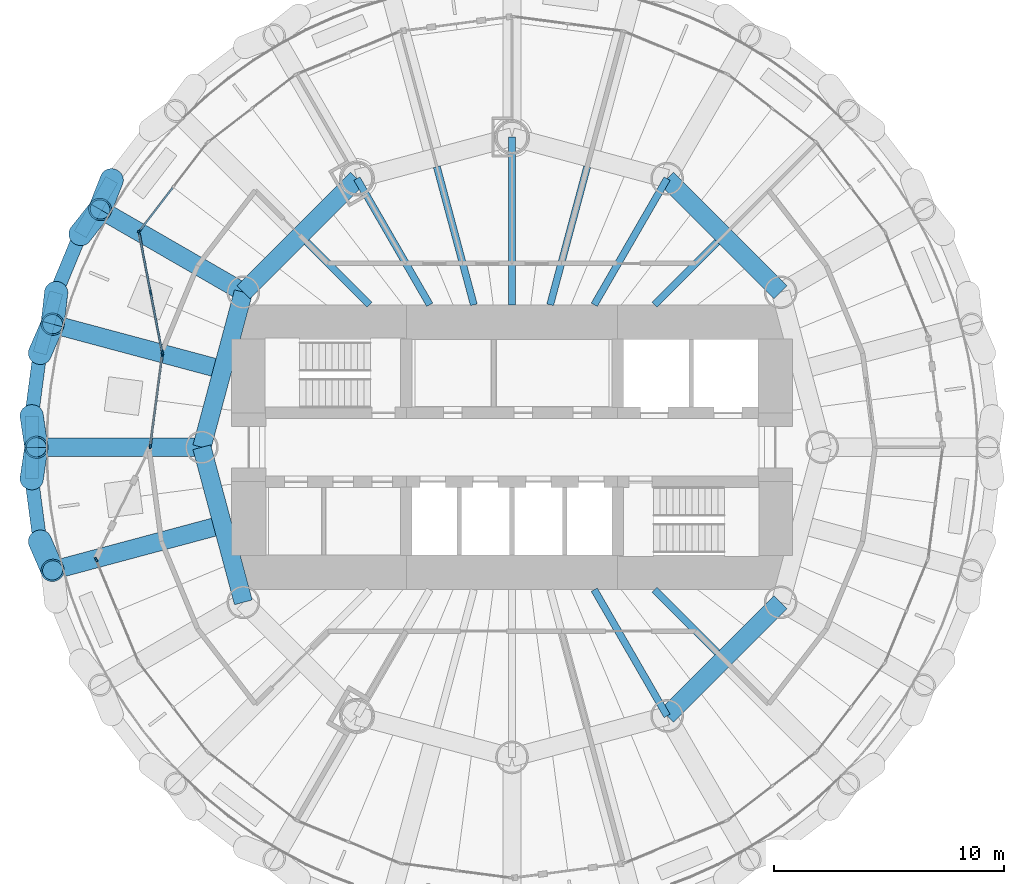
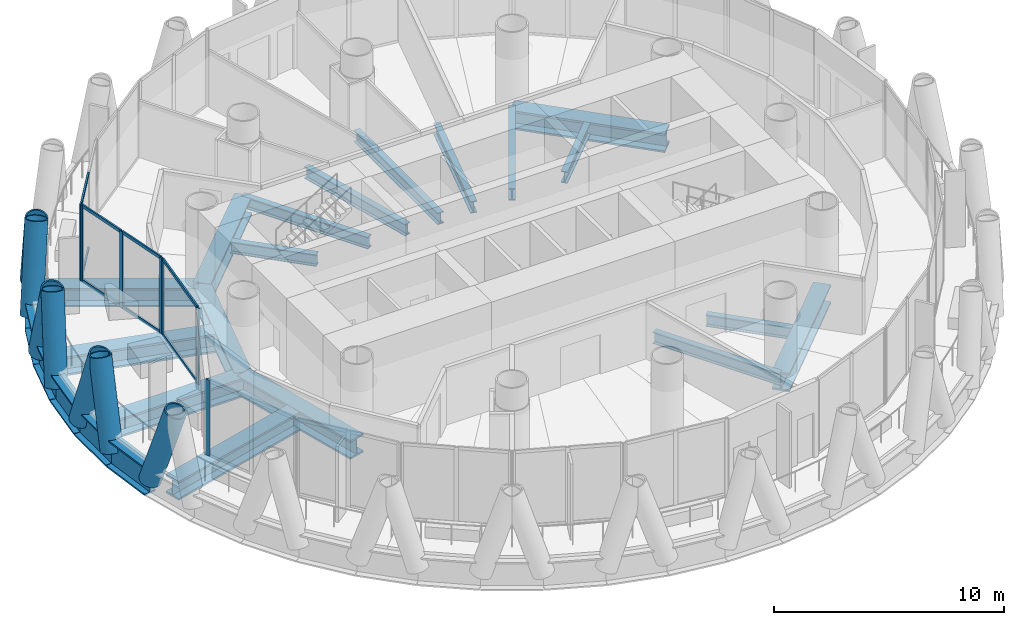
# One storey, part 3 of 15: 24 beams, 22 members, 4 elements without a shape of their own.
"""IFC4 building model written with IfcOpenShell, lengths in metres."""

from ifc_helpers import new_model, si_unit, direction, frame, origin, origin_2d, place, context, subcontext, project, spatial, rectangle, hollow_circle, i_section, extrude, material, material_profile, profile_set, type_object, element, aggregate, save


model = new_model("IFC4")

# Units and contexts
model_context = context("Model", 3, precision=1e-05, world=origin(), true_north=direction((0.0, 1.0)))
body_context = subcontext(model_context, "Body", "Model", "MODEL_VIEW")
ifc_project = project(units=[si_unit("LENGTHUNIT", "METRE"), si_unit("AREAUNIT", "SQUARE_METRE"), si_unit("VOLUMEUNIT", "CUBIC_METRE"), si_unit("PLANEANGLEUNIT", "RADIAN"), si_unit("MASSUNIT", "GRAM", prefix="KILO")], contexts=[model_context])

# Site, building, storey
site_placement = place(None, origin())
site = spatial("IfcSite", under=ifc_project, at=site_placement, CompositionType="ELEMENT")
building_placement = place(site_placement, origin())
building = spatial("IfcBuilding", under=site, at=building_placement, Name="Qaws Media Tower", CompositionType="ELEMENT")
storey_placement = place(building_placement, frame((0.0, 0.0, 273.800048828125)))
storey = spatial("IfcBuildingStorey", under=building, at=storey_placement, Name="L63", CompositionType="ELEMENT", Elevation=273.800048828125)

# Curtain wall, member
ifc_material_1 = material(Name="Aluminium and clear glass", Category="aluminium")
curtain_wall_type_1 = type_object("IfcCurtainWallType", Name="Unitised curtain wall CW-D", PredefinedType="NOTDEFINED", material=ifc_material_1)
curtain_wall_1_placement = place(storey_placement, origin())
curtain_wall_1 = element("IfcCurtainWall", 1, at=curtain_wall_1_placement, inside=storey, type_object=curtain_wall_type_1, Name="CWD curtain wall L63-10", PredefinedType="NOTDEFINED")
ifc_material_2 = material(Name="Aluminium mullion", Category="aluminium")
ifc_material_profile_1 = material_profile(ifc_material_2, rectangle(XDim=0.080078125, YDim=0.199951171875, at=origin_2d()), Name="80x200")
ifc_profile_set_1 = profile_set([ifc_material_profile_1], Name="Aluminium mullion")
member_type_1 = type_object("IfcMemberType", Name="Curtain wall mullion 80x200", PredefinedType="MULLION", material=ifc_profile_set_1)
member_1_placement = place(storey_placement, frame((43.786376953125, 59.40673828125, 0.0), z_axis=(0.0, 0.0, 1.0), x_axis=(0.793353346284, -0.608761421199, 0.0)))
member_1 = element("IfcMember", 2, at=member_1_placement, type_object=member_type_1, Name="CWD mullion 3", PredefinedType="MULLION", context=body_context, shape_type="SweptSolid", body=[
    extrude(rectangle(XDim=0.080078125, YDim=0.199951171875, at=origin_2d()), origin(), (0.0, 0.0, 1.0), 4.0400390625),
])

# Curtain wall, members
ifc_material_3 = material(Name="Aluminium and clear glass", Category="aluminium")
curtain_wall_type_2 = type_object("IfcCurtainWallType", Name="Loggia curtain wall CW-G", PredefinedType="NOTDEFINED", material=ifc_material_3)
curtain_wall_2_placement = place(storey_placement, origin())
curtain_wall_2 = element("IfcCurtainWall", 3, at=curtain_wall_2_placement, inside=storey, type_object=curtain_wall_type_2, Name="CWG curtain wall L63-11", PredefinedType="NOTDEFINED")
member_2_placement = place(storey_placement, frame((43.76953125, 59.335693359375, 0.0), z_axis=(0.0, 0.0, 1.0), x_axis=(0.981810655212, 0.189862680144, 0.0)))
member_2 = element("IfcMember", 4, at=member_2_placement, type_object=member_type_1, Name="CWG mullion 1", PredefinedType="MULLION", context=body_context, shape_type="SweptSolid", body=[
    extrude(rectangle(XDim=0.080078125, YDim=0.199951171875, at=origin_2d()), origin(), (0.0, 0.0, 1.0), 4.0400390625),
])
member_3_placement = place(storey_placement, frame((44.2744140625, 56.7255859375, 0.0), z_axis=(0.0, 0.0, 1.0), x_axis=(0.981810655212, 0.189862680144, 0.0)))
member_3 = element("IfcMember", 5, at=member_3_placement, type_object=member_type_1, Name="CWG mullion 2", PredefinedType="MULLION", context=body_context, shape_type="SweptSolid", body=[
    extrude(rectangle(XDim=0.080078125, YDim=0.199951171875, at=origin_2d()), origin(), (0.0, 0.0, 1.0), 4.0400390625),
])
member_4_placement = place(storey_placement, frame((44.779052734375, 54.11572265625, 0.0), z_axis=(0.0, 0.0, 1.0), x_axis=(0.981810655212, 0.189862680144, 0.0)))
member_4 = element("IfcMember", 6, at=member_4_placement, type_object=member_type_1, Name="CWG mullion 3", PredefinedType="MULLION", context=body_context, shape_type="SweptSolid", body=[
    extrude(rectangle(XDim=0.080078125, YDim=0.199951171875, at=origin_2d()), origin(), (0.0, 0.0, 1.0), 4.0400390625),
])

curtain_wall_3_placement = place(storey_placement, origin())
curtain_wall_3 = element("IfcCurtainWall", 7, at=curtain_wall_3_placement, inside=storey, type_object=curtain_wall_type_2, Name="CWG curtain wall L63-12", PredefinedType="NOTDEFINED")
member_5_placement = place(storey_placement, frame((44.781494140625, 54.03662109375, 0.0), z_axis=(0.0, 0.0, 1.0), x_axis=(0.991444868964, -0.130526134563, 0.0)))
member_5 = element("IfcMember", 8, at=member_5_placement, type_object=member_type_1, Name="CWG mullion 1", PredefinedType="MULLION", context=body_context, shape_type="SweptSolid", body=[
    extrude(rectangle(XDim=0.080078125, YDim=0.199951171875, at=origin_2d()), origin(), (0.0, 0.0, 1.0), 4.0400390625),
])
member_6_placement = place(storey_placement, frame((44.255126953125, 50.03955078125, 0.0), z_axis=(0.0, 0.0, 1.0), x_axis=(0.991444868964, -0.130526134563, 0.0)))
member_6 = element("IfcMember", 9, at=member_6_placement, type_object=member_type_1, Name="CWG mullion 2", PredefinedType="MULLION", context=body_context, shape_type="SweptSolid", body=[
    extrude(rectangle(XDim=0.080078125, YDim=0.199951171875, at=origin_2d()), origin(), (0.0, 0.0, 1.0), 4.0400390625),
])

# Curtain wall, member
curtain_wall_4_placement = place(storey_placement, origin())
curtain_wall_4 = element("IfcCurtainWall", 10, at=curtain_wall_4_placement, inside=storey, type_object=curtain_wall_type_1, Name="CWD curtain wall L63-14", PredefinedType="NOTDEFINED")
member_7_placement = place(storey_placement, frame((41.904296875, 45.110107421875, 0.0), z_axis=(0.0, 0.0, 1.0), x_axis=(0.923879529739, 0.382683439057, 0.0)))
member_7 = element("IfcMember", 11, at=member_7_placement, type_object=member_type_1, Name="CWD mullion 1", PredefinedType="MULLION", context=body_context, shape_type="SweptSolid", body=[
    extrude(rectangle(XDim=0.080078125, YDim=0.199951171875, at=origin_2d()), origin(), (0.0, 0.0, 1.0), 4.0400390625),
])
aggregate(curtain_wall_4, [member_7])

# Member
ifc_material_4 = material(Name="Aluminium transom", Category="aluminium")
ifc_material_profile_2 = material_profile(ifc_material_4, rectangle(XDim=0.080078125, YDim=0.159912109375, at=origin_2d()), Name="80x160")
ifc_profile_set_2 = profile_set([ifc_material_profile_2], Name="Aluminium transom")
member_type_2 = type_object("IfcMemberType", Name="Curtain wall transom 80x160", PredefinedType="USERDEFINED", material=ifc_profile_set_2)
member_8_placement = place(storey_placement, frame((45.2275390625, 61.284912109375, 0.0400390625), z_axis=(-0.60874201656, -0.79336823561, 0.0), x_axis=(0.79336823561, -0.60874201656, 0.0)))
member_8 = element("IfcMember", 12, at=member_8_placement, type_object=member_type_2, Name="CWD transom 2.1", ObjectType="TRANSOM", PredefinedType="USERDEFINED", context=body_context, shape_type="SweptSolid", body=[
    extrude(rectangle(XDim=0.080078125, YDim=0.159912109375, at=origin_2d()), origin(), (0.0, 0.0, 1.0), 2.327392578125),
])

member_9_placement = place(storey_placement, frame((45.2275390625, 61.284912109375, 4.0), z_axis=(-0.60874201656, -0.79336823561, 0.0), x_axis=(0.79336823561, -0.60874201656, 0.0)))
member_9 = element("IfcMember", 13, at=member_9_placement, type_object=member_type_2, Name="CWD transom 2.2", ObjectType="TRANSOM", PredefinedType="USERDEFINED", context=body_context, shape_type="SweptSolid", body=[
    extrude(rectangle(XDim=0.080078125, YDim=0.159912109375, at=origin_2d()), origin(), (0.0, 0.0, 1.0), 2.327392578125),
])

aggregate(curtain_wall_1, [member_1, member_8, member_9])

member_10_placement = place(storey_placement, frame((43.777099609375, 59.29638671875, 0.0400390625), z_axis=(0.189939471424, -0.981795802189, 0.0), x_axis=(0.981795802189, 0.189939471424, 0.0)))
member_10 = element("IfcMember", 14, at=member_10_placement, type_object=member_type_2, Name="CWG transom 1.1", ObjectType="TRANSOM", PredefinedType="USERDEFINED", context=body_context, shape_type="SweptSolid", body=[
    extrude(rectangle(XDim=0.080078125, YDim=0.159912109375, at=origin_2d()), origin(), (0.0, 0.0, 1.0), 2.578369140625),
])

member_11_placement = place(storey_placement, frame((43.777099609375, 59.29638671875, 4.0), z_axis=(0.189939471424, -0.981795802189, 0.0), x_axis=(0.981795802189, 0.189939471424, 0.0)))
member_11 = element("IfcMember", 15, at=member_11_placement, type_object=member_type_2, Name="CWG transom 1.2", ObjectType="TRANSOM", PredefinedType="USERDEFINED", context=body_context, shape_type="SweptSolid", body=[
    extrude(rectangle(XDim=0.080078125, YDim=0.159912109375, at=origin_2d()), origin(), (0.0, 0.0, 1.0), 2.578369140625),
])

member_12_placement = place(storey_placement, frame((44.281982421875, 56.6865234375, 0.0400390625), z_axis=(0.189848199259, -0.981813455417, 0.0), x_axis=(0.981813455417, 0.189848199259, 0.0)))
member_12 = element("IfcMember", 16, at=member_12_placement, type_object=member_type_2, Name="CWG transom 2.1", ObjectType="TRANSOM", PredefinedType="USERDEFINED", context=body_context, shape_type="SweptSolid", body=[
    extrude(rectangle(XDim=0.080078125, YDim=0.159912109375, at=origin_2d()), origin(), (0.0, 0.0, 1.0), 2.578369140625),
])

member_13_placement = place(storey_placement, frame((44.281982421875, 56.6865234375, 4.0), z_axis=(0.189848199259, -0.981813455417, 0.0), x_axis=(0.981813455417, 0.189848199259, 0.0)))
member_13 = element("IfcMember", 17, at=member_13_placement, type_object=member_type_2, Name="CWG transom 2.2", ObjectType="TRANSOM", PredefinedType="USERDEFINED", context=body_context, shape_type="SweptSolid", body=[
    extrude(rectangle(XDim=0.080078125, YDim=0.159912109375, at=origin_2d()), origin(), (0.0, 0.0, 1.0), 2.578369140625),
])

aggregate(curtain_wall_2, [member_2, member_3, member_4, member_10, member_11, member_12, member_13])

member_14_placement = place(storey_placement, frame((44.776123046875, 53.9970703125, 0.0400390625), z_axis=(-0.130488075283, -0.991449878818, 0.0), x_axis=(0.991449878818, -0.130488075283, 0.0)))
member_14 = element("IfcMember", 18, at=member_14_placement, type_object=member_type_2, Name="CWG transom 1.1", ObjectType="TRANSOM", PredefinedType="USERDEFINED", context=body_context, shape_type="SweptSolid", body=[
    extrude(rectangle(XDim=0.080078125, YDim=0.159912109375, at=origin_2d()), origin(), (0.0, 0.0, 1.0), 3.951416015625),
])

member_15_placement = place(storey_placement, frame((44.776123046875, 53.9970703125, 4.0), z_axis=(-0.130488075283, -0.991449878818, 0.0), x_axis=(0.991449878818, -0.130488075283, 0.0)))
member_15 = element("IfcMember", 19, at=member_15_placement, type_object=member_type_2, Name="CWG transom 1.2", ObjectType="TRANSOM", PredefinedType="USERDEFINED", context=body_context, shape_type="SweptSolid", body=[
    extrude(rectangle(XDim=0.080078125, YDim=0.159912109375, at=origin_2d()), origin(), (0.0, 0.0, 1.0), 3.951416015625),
])

aggregate(curtain_wall_3, [member_5, member_6, member_14, member_15])

# Members
ifc_material_5 = material(Name="Steel S460", Category="steel")
ifc_material_profile_3 = material_profile(ifc_material_5, hollow_circle(Radius=0.508056640625, WallThickness=0.070068359375, at=origin_2d()), Name="CHS 1016x70")
ifc_profile_set_3 = profile_set([ifc_material_profile_3], Name="Steel S460")
member_type_3 = type_object("IfcMemberType", Name="Diagrid member CHS 1016x70", PredefinedType="USERDEFINED", material=ifc_profile_set_3)
for number, where, z_axis, x_axis, name in (
    (20, (42.580810546875, 61.63916015625, -0.91015625), (-0.114762390835, -0.291460040217, 0.949673964372), (0.930468476148, -0.366371962483, 0.0), "DG3 diagrid L63 A10"),
    (21, (40.161865234375, 56.734130859375, -0.91015625), (-0.035383836907, -0.311223201998, 0.949677894143), (0.993598962438, -0.112965046989, 0.0), "DG3 diagrid L63 A11"),
    (22, (41.21044921875, 59.265869140625, -0.91015625), (0.195076236088, 0.24514249136, 0.949658054798), (-0.782482034389, 0.622673161344, 0.0), "DG3 diagrid L63 B11"),
    (23, (39.094970703125, 51.3701171875, -0.91015625), (0.046368677873, -0.309786928834, 0.949674683476), (0.988982838333, 0.14803021814, 0.0), "DG3 diagrid L63 A12"),
    (24, (39.45263671875, 54.087158203125, -0.91015625), (0.124973262214, 0.287261862438, 0.949664312334), (-0.916980388897, 0.398932282948, 0.0), "DG3 diagrid L63 B12"),
    (25, (39.45263671875, 45.912841796875, -0.91015625), (0.124973262214, -0.287261862438, 0.949664312334), (0.916980388897, 0.398932282948, 0.0), "DG3 diagrid L63 A13"),
    (26, (39.094970703125, 48.6298828125, -0.91015625), (0.046368677873, 0.309786928834, 0.949674683476), (-0.988982838333, 0.14803021814, 0.0), "DG3 diagrid L63 B13"),
):
    element("IfcMember", number, at=place(storey_placement, frame(where, z_axis=z_axis, x_axis=x_axis)), inside=storey, type_object=member_type_3, Name=name, ObjectType="DIAGRID", PredefinedType="USERDEFINED", context=body_context, shape_type="SweptSolid", body=[
        extrude(hollow_circle(Radius=0.508056640625, WallThickness=0.070068359375, at=origin_2d()), origin(), (0.0, 0.0, 1.0), 4.4228515625),
    ])

# Beams
ifc_material_6 = material(Name="Steel S460", Category="steel")
ifc_material_profile_4 = material_profile(ifc_material_6, i_section(OverallWidth=0.60009765625, OverallDepth=1.5, WebThickness=0.030029296875, FlangeThickness=0.080078125, at=origin_2d()), Name="PG 1500x600")
ifc_profile_set_4 = profile_set([ifc_material_profile_4], Name="Steel S460")
beam_type_1 = type_object("IfcBeamType", Name="Edge ring beam PG 1500x600", PredefinedType="BEAM", material=ifc_profile_set_4)
beam_1_placement = place(storey_placement, frame((42.580810546875, 61.63916015625, -0.91015625), z_axis=(-0.500038620418, -0.866003105128, 0.0), x_axis=(0.866003105128, -0.500038620418, 0.0)))
element("IfcBeam", 27, at=beam_1_placement, inside=storey, type_object=beam_type_1, Name="RB5 edge ring beam L63-20", PredefinedType="BEAM", context=body_context, shape_type="SweptSolid", body=[
    extrude(i_section(OverallWidth=0.60009765625, OverallDepth=1.5, WebThickness=0.030029296875, FlangeThickness=0.080078125, at=origin_2d()), origin(), (0.0, 0.0, 1.0), 2.740478515625),
])
for number, where, z_axis, x_axis, name in (
    (28, (41.21044921875, 59.265869140625, -0.91015625), (-0.382653421457, -0.923891962865, 0.0), (0.923891962865, -0.382653421457, 0.0), "RB5 edge ring beam L63-21"),
    (29, (40.161865234375, 56.734130859375, -0.91015625), (-0.258810305143, -0.965928168112, 0.0), (0.965928168112, -0.258810305143, 0.0), "RB5 edge ring beam L63-22"),
):
    element("IfcBeam", number, at=place(storey_placement, frame(where, z_axis=z_axis, x_axis=x_axis)), inside=storey, type_object=beam_type_1, Name=name, PredefinedType="BEAM", context=body_context, shape_type="SweptSolid", body=[
        extrude(i_section(OverallWidth=0.60009765625, OverallDepth=1.5, WebThickness=0.030029296875, FlangeThickness=0.080078125, at=origin_2d()), origin(), (0.0, 0.0, 1.0), 2.740234375),
    ])
beam_2_placement = place(storey_placement, frame((39.45263671875, 54.087158203125, -0.91015625), z_axis=(-0.130512124629, -0.991446713306, 0.0), x_axis=(0.991446713306, -0.130512124629, 0.0)))
element("IfcBeam", 30, at=beam_2_placement, inside=storey, type_object=beam_type_1, Name="RB5 edge ring beam L63-23", PredefinedType="BEAM", context=body_context, shape_type="SweptSolid", body=[
    extrude(i_section(OverallWidth=0.60009765625, OverallDepth=1.5, WebThickness=0.030029296875, FlangeThickness=0.080078125, at=origin_2d()), origin(), (0.0, 0.0, 1.0), 2.740478515625),
])
beam_3_placement = place(storey_placement, frame((39.094970703125, 51.3701171875, -0.91015625), z_axis=(0.0, -1.0, 0.0), x_axis=(1.0, 0.0, 0.0)))
element("IfcBeam", 31, at=beam_3_placement, inside=storey, type_object=beam_type_1, Name="RB5 edge ring beam L63-24", PredefinedType="BEAM", context=body_context, shape_type="SweptSolid", body=[
    extrude(i_section(OverallWidth=0.60009765625, OverallDepth=1.5, WebThickness=0.030029296875, FlangeThickness=0.080078125, at=origin_2d()), origin(), (0.0, 0.0, 1.0), 2.740234375),
])
beam_4_placement = place(storey_placement, frame((39.094970703125, 48.6298828125, -0.91015625), z_axis=(0.130512124629, -0.991446713306, 0.0), x_axis=(0.991446713306, 0.130512124629, 0.0)))
element("IfcBeam", 32, at=beam_4_placement, inside=storey, type_object=beam_type_1, Name="RB5 edge ring beam L63-25", PredefinedType="BEAM", context=body_context, shape_type="SweptSolid", body=[
    extrude(i_section(OverallWidth=0.60009765625, OverallDepth=1.5, WebThickness=0.030029296875, FlangeThickness=0.080078125, at=origin_2d()), origin(), (0.0, 0.0, 1.0), 2.740478515625),
])
ifc_material_7 = material(Name="Steel S460", Category="steel")
ifc_material_profile_5 = material_profile(ifc_material_7, i_section(OverallWidth=0.800048828125, OverallDepth=1.0, WebThickness=0.0400390625, FlangeThickness=0.10009765625, at=origin_2d()), Name="PG 1000x800")
ifc_profile_set_5 = profile_set([ifc_material_profile_5], Name="Steel S460")
beam_type_2 = type_object("IfcBeamType", Name="Inner ring girder PG 1000x800", PredefinedType="BEAM", material=ifc_profile_set_5)
for number, where, z_axis, x_axis, name in (
    (33, (71.69140625, 56.75, -0.66015625), (-0.707106781187, 0.707106781187, 0.0), (-0.707106781187, -0.707106781187, 0.0), "B3 inner ring beam L63 I02-I03"),
    (34, (53.25, 61.69140625, -0.66015625), (-0.707106781187, -0.707106781187, 0.0), (0.707106781187, -0.707106781187, 0.0), "B3 inner ring beam L63 I05-I06"),
):
    element("IfcBeam", number, at=place(storey_placement, frame(where, z_axis=z_axis, x_axis=x_axis)), inside=storey, type_object=beam_type_2, Name=name, PredefinedType="BEAM", context=body_context, shape_type="SweptSolid", body=[
        extrude(i_section(OverallWidth=0.800048828125, OverallDepth=1.0, WebThickness=0.0400390625, FlangeThickness=0.10009765625, at=origin_2d()), origin(), (0.0, 0.0, 1.0), 6.98828125),
    ])
for number, where, z_axis, x_axis, name in (
    (35, (48.30859375, 56.75, -0.66015625), (-0.258810593767, -0.965928090778, 0.0), (0.965928090778, -0.258810593767, 0.0), "B3 inner ring beam L63 I06-I07"),
    (36, (46.5, 50.0, -0.66015625), (0.258810593767, -0.965928090778, 0.0), (0.965928090778, 0.258810593767, 0.0), "B3 inner ring beam L63 I07-I08"),
):
    element("IfcBeam", number, at=place(storey_placement, frame(where, z_axis=z_axis, x_axis=x_axis)), inside=storey, type_object=beam_type_2, Name=name, PredefinedType="BEAM", context=body_context, shape_type="SweptSolid", body=[
        extrude(i_section(OverallWidth=0.800048828125, OverallDepth=1.0, WebThickness=0.0400390625, FlangeThickness=0.10009765625, at=origin_2d()), origin(), (0.0, 0.0, 1.0), 6.988037109375),
    ])
beam_5_placement = place(storey_placement, frame((66.75, 38.30859375, -0.66015625), z_axis=(0.707106781187, 0.707106781187, 0.0), x_axis=(-0.707106781187, 0.707106781187, 0.0)))
element("IfcBeam", 37, at=beam_5_placement, inside=storey, type_object=beam_type_2, Name="B3 inner ring beam L63 I11-I12", PredefinedType="BEAM", context=body_context, shape_type="SweptSolid", body=[
    extrude(i_section(OverallWidth=0.800048828125, OverallDepth=1.0, WebThickness=0.0400390625, FlangeThickness=0.10009765625, at=origin_2d()), origin(), (0.0, 0.0, 1.0), 6.98828125),
])
ifc_material_8 = material(Name="Steel S355", Category="steel")
ifc_material_profile_6 = material_profile(ifc_material_8, i_section(OverallWidth=0.304931640625, OverallDepth=0.6201171875, WebThickness=0.02099609375, FlangeThickness=0.0400390625, FilletRadius=0.027099609375, at=origin_2d()), Name="HE 600 M")
ifc_profile_set_6 = profile_set([ifc_material_profile_6], Name="Steel S355")
beam_type_3 = type_object("IfcBeamType", Name="Radial beam HE 600 M, core side", PredefinedType="BEAM", material=ifc_profile_set_6)
beam_6_placement = place(storey_placement, frame((66.199951171875, 56.199951171875, -0.469970703125), z_axis=(0.707106781187, 0.707106781187, 0.0), x_axis=(-0.707106781187, 0.707106781187, 0.0)))
element("IfcBeam", 38, at=beam_6_placement, inside=storey, type_object=beam_type_3, Name="B2 radial beam L63 04", PredefinedType="BEAM", context=body_context, shape_type="SweptSolid", body=[
    extrude(i_section(OverallWidth=0.304931640625, OverallDepth=0.6201171875, WebThickness=0.02099609375, FlangeThickness=0.0400390625, FilletRadius=0.027099609375, at=origin_2d()), origin(), (0.0, 0.0, 1.0), 3.871826171875),
])
beam_7_placement = place(storey_placement, frame((63.57958984375, 56.199951171875, -0.469970703125), z_axis=(0.499990193304, 0.866031065609, 0.0), x_axis=(-0.866031065609, 0.499990193304, 0.0)))
element("IfcBeam", 39, at=beam_7_placement, inside=storey, type_object=beam_type_3, Name="B2 radial beam L63 05", PredefinedType="BEAM", context=body_context, shape_type="SweptSolid", body=[
    extrude(i_section(OverallWidth=0.304931640625, OverallDepth=0.6201171875, WebThickness=0.02099609375, FlangeThickness=0.0400390625, FilletRadius=0.027099609375, at=origin_2d()), origin(), (0.0, 0.0, 1.0), 6.341064453125),
])
beam_8_placement = place(storey_placement, frame((61.661376953125, 56.199951171875, -0.469970703125), z_axis=(0.258808008719, 0.965928783412, 0.0), x_axis=(-0.965928783412, 0.258808008719, 0.0)))
element("IfcBeam", 40, at=beam_8_placement, inside=storey, type_object=beam_type_3, Name="B2 radial beam L63 06", PredefinedType="BEAM", context=body_context, shape_type="SweptSolid", body=[
    extrude(i_section(OverallWidth=0.304931640625, OverallDepth=0.6201171875, WebThickness=0.02099609375, FlangeThickness=0.0400390625, FilletRadius=0.027099609375, at=origin_2d()), origin(), (0.0, 0.0, 1.0), 6.22119140625),
])
beam_9_placement = place(storey_placement, frame((60.0, 56.199951171875, -0.469970703125), z_axis=(0.0, 1.0, 0.0), x_axis=(-1.0, 0.0, 0.0)))
element("IfcBeam", 41, at=beam_9_placement, inside=storey, type_object=beam_type_3, Name="B2 radial beam L63 07", PredefinedType="BEAM", context=body_context, shape_type="SweptSolid", body=[
    extrude(i_section(OverallWidth=0.304931640625, OverallDepth=0.6201171875, WebThickness=0.02099609375, FlangeThickness=0.0400390625, FilletRadius=0.027099609375, at=origin_2d()), origin(), (0.0, 0.0, 1.0), 7.300048828125),
])
beam_10_placement = place(storey_placement, frame((58.338623046875, 56.199951171875, -0.469970703125), z_axis=(-0.258808008719, 0.965928783412, 0.0), x_axis=(-0.965928783412, -0.258808008719, 0.0)))
element("IfcBeam", 42, at=beam_10_placement, inside=storey, type_object=beam_type_3, Name="B2 radial beam L63 08", PredefinedType="BEAM", context=body_context, shape_type="SweptSolid", body=[
    extrude(i_section(OverallWidth=0.304931640625, OverallDepth=0.6201171875, WebThickness=0.02099609375, FlangeThickness=0.0400390625, FilletRadius=0.027099609375, at=origin_2d()), origin(), (0.0, 0.0, 1.0), 6.22119140625),
])
beam_11_placement = place(storey_placement, frame((56.42041015625, 56.199951171875, -0.469970703125), z_axis=(-0.499990193304, 0.866031065609, 0.0), x_axis=(-0.866031065609, -0.499990193304, 0.0)))
element("IfcBeam", 43, at=beam_11_placement, inside=storey, type_object=beam_type_3, Name="B2 radial beam L63 09", PredefinedType="BEAM", context=body_context, shape_type="SweptSolid", body=[
    extrude(i_section(OverallWidth=0.304931640625, OverallDepth=0.6201171875, WebThickness=0.02099609375, FlangeThickness=0.0400390625, FilletRadius=0.027099609375, at=origin_2d()), origin(), (0.0, 0.0, 1.0), 6.341064453125),
])
beam_12_placement = place(storey_placement, frame((53.800048828125, 56.199951171875, -0.469970703125), z_axis=(-0.707106781187, 0.707106781187, 0.0), x_axis=(-0.707106781187, -0.707106781187, 0.0)))
element("IfcBeam", 44, at=beam_12_placement, inside=storey, type_object=beam_type_3, Name="B2 radial beam L63 10", PredefinedType="BEAM", context=body_context, shape_type="SweptSolid", body=[
    extrude(i_section(OverallWidth=0.304931640625, OverallDepth=0.6201171875, WebThickness=0.02099609375, FlangeThickness=0.0400390625, FilletRadius=0.027099609375, at=origin_2d()), origin(), (0.0, 0.0, 1.0), 3.871826171875),
])
beam_13_placement = place(storey_placement, frame((63.57958984375, 43.800048828125, -0.469970703125), z_axis=(0.499990193304, -0.866031065609, 0.0), x_axis=(0.866031065609, 0.499990193304, 0.0)))
element("IfcBeam", 45, at=beam_13_placement, inside=storey, type_object=beam_type_3, Name="B2 radial beam L63 21", PredefinedType="BEAM", context=body_context, shape_type="SweptSolid", body=[
    extrude(i_section(OverallWidth=0.304931640625, OverallDepth=0.6201171875, WebThickness=0.02099609375, FlangeThickness=0.0400390625, FilletRadius=0.027099609375, at=origin_2d()), origin(), (0.0, 0.0, 1.0), 6.341064453125),
])
beam_14_placement = place(storey_placement, frame((66.199951171875, 43.800048828125, -0.469970703125), z_axis=(0.707106781187, -0.707106781187, 0.0), x_axis=(0.707106781187, 0.707106781187, 0.0)))
element("IfcBeam", 46, at=beam_14_placement, inside=storey, type_object=beam_type_3, Name="B2 radial beam L63 22", PredefinedType="BEAM", context=body_context, shape_type="SweptSolid", body=[
    extrude(i_section(OverallWidth=0.304931640625, OverallDepth=0.6201171875, WebThickness=0.02099609375, FlangeThickness=0.0400390625, FilletRadius=0.027099609375, at=origin_2d()), origin(), (0.0, 0.0, 1.0), 3.871826171875),
])
ifc_material_9 = material(Name="Steel S460", Category="steel")
ifc_material_profile_7 = material_profile(ifc_material_9, i_section(OverallWidth=0.800048828125, OverallDepth=1.0, WebThickness=0.0400390625, FlangeThickness=0.10009765625, at=origin_2d()), Name="PG 1000x800")
ifc_profile_set_7 = profile_set([ifc_material_profile_7], Name="Steel S460")
beam_type_4 = type_object("IfcBeamType", Name="Radial girder PG 1000x800", PredefinedType="BEAM", material=ifc_profile_set_7)
beam_15_placement = place(storey_placement, frame((48.30859375, 56.75, -0.66015625), z_axis=(-0.866023074965, 0.500004033612, 0.0), x_axis=(-0.500004033612, -0.866023074965, 0.0)))
element("IfcBeam", 47, at=beam_15_placement, inside=storey, type_object=beam_type_4, Name="B1 radial beam L63 11", PredefinedType="BEAM", context=body_context, shape_type="SweptSolid", body=[
    extrude(i_section(OverallWidth=0.800048828125, OverallDepth=1.0, WebThickness=0.0400390625, FlangeThickness=0.10009765625, at=origin_2d()), origin(), (0.0, 0.0, 1.0), 7.4052734375),
])
beam_16_placement = place(storey_placement, frame((47.01806640625, 53.478515625, -0.66015625), z_axis=(-0.96592703097, 0.25881454913, 0.0), x_axis=(-0.25881454913, -0.96592703097, 0.0)))
element("IfcBeam", 48, at=beam_16_placement, inside=storey, type_object=beam_type_4, Name="B1 radial beam L63 12", PredefinedType="BEAM", context=body_context, shape_type="SweptSolid", body=[
    extrude(i_section(OverallWidth=0.800048828125, OverallDepth=1.0, WebThickness=0.0400390625, FlangeThickness=0.10009765625, at=origin_2d()), origin(), (0.0, 0.0, 1.0), 7.46533203125),
])
beam_17_placement = place(storey_placement, frame((46.5, 50.0, -0.66015625), z_axis=(-1.0, 0.0, 0.0), x_axis=(0.0, -1.0, 0.0)))
element("IfcBeam", 49, at=beam_17_placement, inside=storey, type_object=beam_type_4, Name="B1 radial beam L63 13", PredefinedType="BEAM", context=body_context, shape_type="SweptSolid", body=[
    extrude(i_section(OverallWidth=0.800048828125, OverallDepth=1.0, WebThickness=0.0400390625, FlangeThickness=0.10009765625, at=origin_2d()), origin(), (0.0, 0.0, 1.0), 7.405029296875),
])
beam_18_placement = place(storey_placement, frame((47.01806640625, 46.521484375, -0.66015625), z_axis=(-0.96592703097, -0.25881454913, 0.0), x_axis=(0.25881454913, -0.96592703097, 0.0)))
element("IfcBeam", 50, at=beam_18_placement, inside=storey, type_object=beam_type_4, Name="B1 radial beam L63 14", PredefinedType="BEAM", context=body_context, shape_type="SweptSolid", body=[
    extrude(i_section(OverallWidth=0.800048828125, OverallDepth=1.0, WebThickness=0.0400390625, FlangeThickness=0.10009765625, at=origin_2d()), origin(), (0.0, 0.0, 1.0), 7.46533203125),
])

save(model, "model.ifc")
